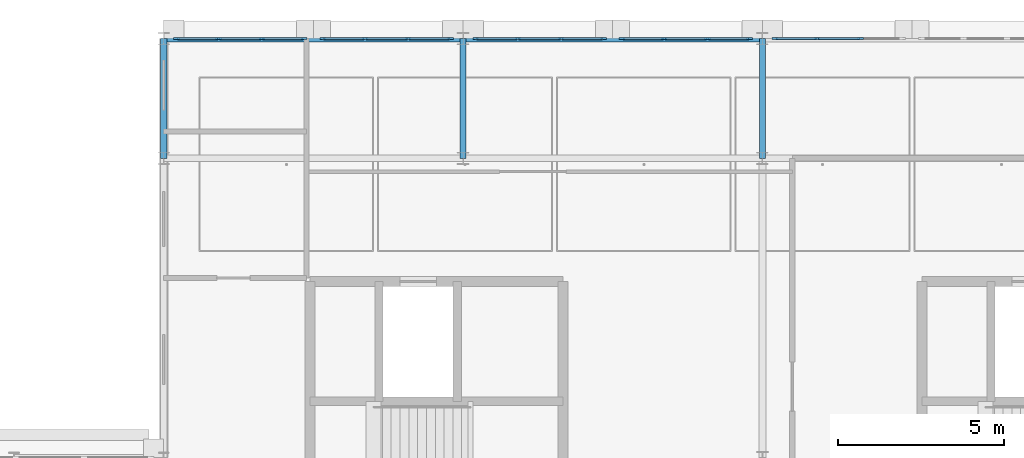
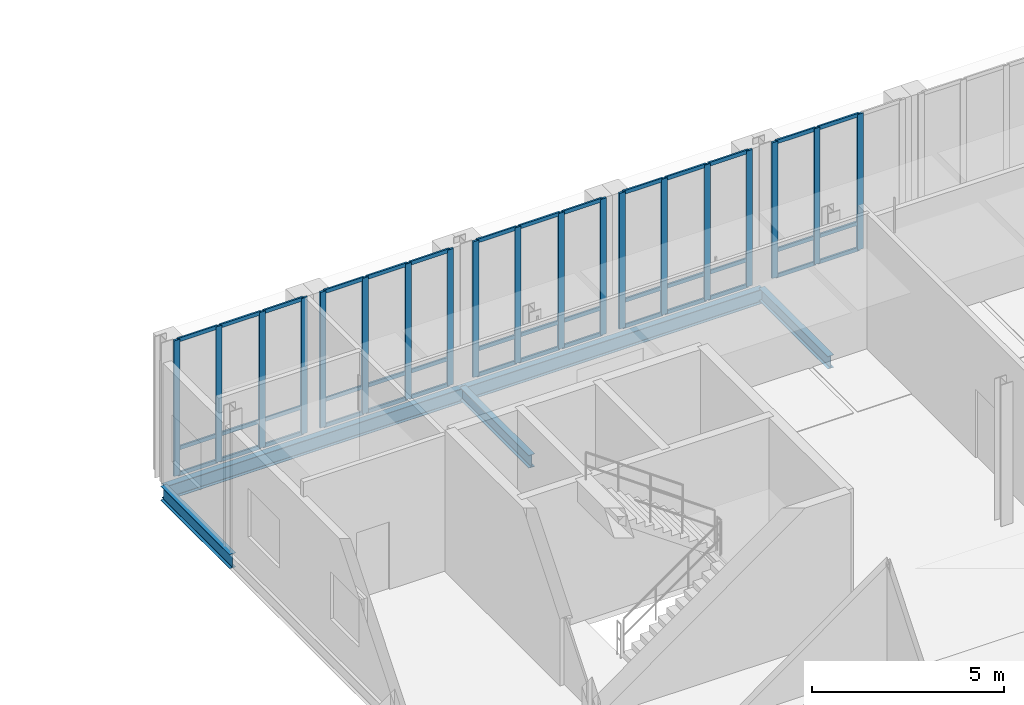
# One storey, part 59 of 140: 61 members, 5 beams, 5 elements without a shape of their own.
"""IFC4 building model written with IfcOpenShell, lengths in metres."""

from ifc_helpers import new_model, si_unit, direction, frame, origin, origin_2d, place, context, subcontext, project, spatial, rectangle, i_section, extrude, material, material_profile, profile_set, type_object, element, aggregate, save


model = new_model("IFC4")

# Units and contexts
model_context = context("Model", 3, precision=1e-05, world=origin(), true_north=direction((0.0, 1.0)))
body_context = subcontext(model_context, "Body", "Model", "MODEL_VIEW")
ifc_project = project(units=[si_unit("LENGTHUNIT", "METRE"), si_unit("AREAUNIT", "SQUARE_METRE"), si_unit("VOLUMEUNIT", "CUBIC_METRE"), si_unit("PLANEANGLEUNIT", "RADIAN"), si_unit("MASSUNIT", "GRAM", prefix="KILO"), si_unit("THERMODYNAMICTEMPERATUREUNIT", "KELVIN"), si_unit("POWERUNIT", "WATT")], contexts=[model_context])

# Site, building, storey
site_placement = place(None, origin())
site = spatial("IfcSite", under=ifc_project, at=site_placement, CompositionType="ELEMENT")
building_placement = place(site_placement, origin())
building = spatial("IfcBuilding", under=site, at=building_placement, Name="Tallowbark Science Centre", CompositionType="ELEMENT")
storey_placement = place(building_placement, frame((0.0, 0.0, 9.89990234375)))
storey = spatial("IfcBuildingStorey", under=building, at=storey_placement, Name="L02", CompositionType="ELEMENT", Elevation=9.89990234375)

# Beams
ifc_material_1 = material(Name="Structural Steel Grade 300PLUS (300 MPa)", Category="steel")
ifc_material_profile_1 = material_profile(ifc_material_1, i_section(OverallWidth=0.177734375, OverallDepth=0.406494140625, WebThickness=0.0078125, FlangeThickness=0.0126953125, FilletRadius=0.011474609375, at=origin_2d()), Name="410UB59.7")
ifc_profile_set_1 = profile_set([ifc_material_profile_1], Name="Structural Steel Grade 300PLUS (300 MPa)")
beam_type_1 = type_object("IfcBeamType", Name="BM-UB410", PredefinedType="BEAM", material=ifc_profile_set_1)
for number, where, z_axis, x_axis, name in (
    (1, (121.5, 108.0, -0.383056640625), (0.0, 1.0, 0.0), (-1.0, 0.0, 0.0), "Primary Girder GRDY-L02-1215-1080-1116"),
    (2, (130.5, 108.0, -0.383056640625), (0.0, 1.0, 0.0), (-1.0, 0.0, 0.0), "Primary Girder GRDY-L02-1305-1080-1116"),
):
    element("IfcBeam", number, at=place(storey_placement, frame(where, z_axis=z_axis, x_axis=x_axis)), inside=storey, type_object=beam_type_1, Name=name, PredefinedType="BEAM", context=body_context, shape_type="SweptSolid", body=[
        extrude(i_section(OverallWidth=0.177734375, OverallDepth=0.406494140625, WebThickness=0.0078125, FlangeThickness=0.0126953125, FilletRadius=0.011474609375, at=origin_2d()), origin(), (0.0, 0.0, 1.0), 3.60009765625),
    ])

# Curtain wall, members
ifc_material_2 = material(Name="Unitised Thermally Broken Aluminium and Low-E Double Glazing", Category="aluminium")
curtain_wall_type = type_object("IfcCurtainWallType", Name="CW-SYS-FACADE", PredefinedType="NOTDEFINED", material=ifc_material_2)
curtain_wall_1_placement = place(storey_placement, origin())
curtain_wall_1 = element("IfcCurtainWall", 3, at=curtain_wall_1_placement, inside=storey, type_object=curtain_wall_type, Name="Unitised Curtain Wall OBS-N-112A CW-L02-140", PredefinedType="NOTDEFINED")
ifc_material_3 = material(Name="Anodised Architectural Aluminium Alloy 6063-T6", Category="aluminium")
ifc_material_profile_2 = material_profile(ifc_material_3, rectangle(XDim=0.06494140625, YDim=0.179931640625, at=origin_2d()), Name="ALU65x180")
ifc_profile_set_2 = profile_set([ifc_material_profile_2], Name="Anodised Architectural Aluminium Alloy 6063-T6")
member_type_1 = type_object("IfcMemberType", Name="CWM-MUL-220", PredefinedType="MULLION", material=ifc_profile_set_2)
member_1_placement = place(storey_placement, frame((121.117431640625, 111.60009765625, 0.0), z_axis=(0.0, 0.0, 1.0), x_axis=(0.0, -1.0, 0.0)))
member_1 = element("IfcMember", 4, at=member_1_placement, type_object=member_type_1, Name="CW-01 mullion 1", PredefinedType="MULLION", context=body_context, shape_type="SweptSolid", body=[
    extrude(rectangle(XDim=0.06494140625, YDim=0.179931640625, at=origin_2d()), origin(), (0.0, 0.0, 1.0), 4.320068359375),
])
member_2_placement = place(storey_placement, frame((119.85009765625, 111.60009765625, 0.0), z_axis=(0.0, 0.0, 1.0), x_axis=(0.0, -1.0, 0.0)))
member_2 = element("IfcMember", 5, at=member_2_placement, type_object=member_type_1, Name="CW-01 mullion 2", PredefinedType="MULLION", context=body_context, shape_type="SweptSolid", body=[
    extrude(rectangle(XDim=0.06494140625, YDim=0.179931640625, at=origin_2d()), origin(), (0.0, 0.0, 1.0), 4.320068359375),
])
member_3_placement = place(storey_placement, frame((118.550048828125, 111.60009765625, 0.0), z_axis=(0.0, 0.0, 1.0), x_axis=(0.0, -1.0, 0.0)))
member_3 = element("IfcMember", 6, at=member_3_placement, type_object=member_type_1, Name="CW-01 mullion 3", PredefinedType="MULLION", context=body_context, shape_type="SweptSolid", body=[
    extrude(rectangle(XDim=0.06494140625, YDim=0.179931640625, at=origin_2d()), origin(), (0.0, 0.0, 1.0), 4.320068359375),
])
member_4_placement = place(storey_placement, frame((117.282470703125, 111.60009765625, 0.0), z_axis=(0.0, 0.0, 1.0), x_axis=(0.0, -1.0, 0.0)))
member_4 = element("IfcMember", 7, at=member_4_placement, type_object=member_type_1, Name="CW-01 mullion 4", PredefinedType="MULLION", context=body_context, shape_type="SweptSolid", body=[
    extrude(rectangle(XDim=0.06494140625, YDim=0.179931640625, at=origin_2d()), origin(), (0.0, 0.0, 1.0), 4.320068359375),
])

curtain_wall_2_placement = place(storey_placement, origin())
curtain_wall_2 = element("IfcCurtainWall", 8, at=curtain_wall_2_placement, inside=storey, type_object=curtain_wall_type, Name="Unitised Curtain Wall OBS-N-112B CW-L02-141", PredefinedType="NOTDEFINED")
member_5_placement = place(storey_placement, frame((116.717529296875, 111.60009765625, 0.0), z_axis=(0.0, 0.0, 1.0), x_axis=(0.0, -1.0, 0.0)))
member_5 = element("IfcMember", 9, at=member_5_placement, type_object=member_type_1, Name="CW-01 mullion 1", PredefinedType="MULLION", context=body_context, shape_type="SweptSolid", body=[
    extrude(rectangle(XDim=0.06494140625, YDim=0.179931640625, at=origin_2d()), origin(), (0.0, 0.0, 1.0), 4.320068359375),
])
member_6_placement = place(storey_placement, frame((115.449951171875, 111.60009765625, 0.0), z_axis=(0.0, 0.0, 1.0), x_axis=(0.0, -1.0, 0.0)))
member_6 = element("IfcMember", 10, at=member_6_placement, type_object=member_type_1, Name="CW-01 mullion 2", PredefinedType="MULLION", context=body_context, shape_type="SweptSolid", body=[
    extrude(rectangle(XDim=0.06494140625, YDim=0.179931640625, at=origin_2d()), origin(), (0.0, 0.0, 1.0), 4.320068359375),
])
member_7_placement = place(storey_placement, frame((114.14990234375, 111.60009765625, 0.0), z_axis=(0.0, 0.0, 1.0), x_axis=(0.0, -1.0, 0.0)))
member_7 = element("IfcMember", 11, at=member_7_placement, type_object=member_type_1, Name="CW-01 mullion 3", PredefinedType="MULLION", context=body_context, shape_type="SweptSolid", body=[
    extrude(rectangle(XDim=0.06494140625, YDim=0.179931640625, at=origin_2d()), origin(), (0.0, 0.0, 1.0), 4.320068359375),
])
member_8_placement = place(storey_placement, frame((112.882568359375, 111.60009765625, 0.0), z_axis=(0.0, 0.0, 1.0), x_axis=(0.0, -1.0, 0.0)))
member_8 = element("IfcMember", 12, at=member_8_placement, type_object=member_type_1, Name="CW-01 mullion 4", PredefinedType="MULLION", context=body_context, shape_type="SweptSolid", body=[
    extrude(rectangle(XDim=0.06494140625, YDim=0.179931640625, at=origin_2d()), origin(), (0.0, 0.0, 1.0), 4.320068359375),
])

curtain_wall_3_placement = place(storey_placement, origin())
curtain_wall_3 = element("IfcCurtainWall", 13, at=curtain_wall_3_placement, inside=storey, type_object=curtain_wall_type, Name="Unitised Curtain Wall OBS-N-121A CW-L02-144", PredefinedType="NOTDEFINED")
member_9_placement = place(storey_placement, frame((130.117431640625, 111.60009765625, 0.0), z_axis=(0.0, 0.0, 1.0), x_axis=(0.0, -1.0, 0.0)))
member_9 = element("IfcMember", 14, at=member_9_placement, type_object=member_type_1, Name="CW-01 mullion 1", PredefinedType="MULLION", context=body_context, shape_type="SweptSolid", body=[
    extrude(rectangle(XDim=0.06494140625, YDim=0.179931640625, at=origin_2d()), origin(), (0.0, 0.0, 1.0), 4.320068359375),
])
member_10_placement = place(storey_placement, frame((128.85009765625, 111.60009765625, 0.0), z_axis=(0.0, 0.0, 1.0), x_axis=(0.0, -1.0, 0.0)))
member_10 = element("IfcMember", 15, at=member_10_placement, type_object=member_type_1, Name="CW-01 mullion 2", PredefinedType="MULLION", context=body_context, shape_type="SweptSolid", body=[
    extrude(rectangle(XDim=0.06494140625, YDim=0.179931640625, at=origin_2d()), origin(), (0.0, 0.0, 1.0), 4.320068359375),
])
member_11_placement = place(storey_placement, frame((127.550048828125, 111.60009765625, 0.0), z_axis=(0.0, 0.0, 1.0), x_axis=(0.0, -1.0, 0.0)))
member_11 = element("IfcMember", 16, at=member_11_placement, type_object=member_type_1, Name="CW-01 mullion 3", PredefinedType="MULLION", context=body_context, shape_type="SweptSolid", body=[
    extrude(rectangle(XDim=0.06494140625, YDim=0.179931640625, at=origin_2d()), origin(), (0.0, 0.0, 1.0), 4.320068359375),
])
member_12_placement = place(storey_placement, frame((126.282470703125, 111.60009765625, 0.0), z_axis=(0.0, 0.0, 1.0), x_axis=(0.0, -1.0, 0.0)))
member_12 = element("IfcMember", 17, at=member_12_placement, type_object=member_type_1, Name="CW-01 mullion 4", PredefinedType="MULLION", context=body_context, shape_type="SweptSolid", body=[
    extrude(rectangle(XDim=0.06494140625, YDim=0.179931640625, at=origin_2d()), origin(), (0.0, 0.0, 1.0), 4.320068359375),
])

curtain_wall_4_placement = place(storey_placement, origin())
curtain_wall_4 = element("IfcCurtainWall", 18, at=curtain_wall_4_placement, inside=storey, type_object=curtain_wall_type, Name="Unitised Curtain Wall OBS-N-121B CW-L02-145", PredefinedType="NOTDEFINED")
member_13_placement = place(storey_placement, frame((125.717529296875, 111.60009765625, 0.0), z_axis=(0.0, 0.0, 1.0), x_axis=(0.0, -1.0, 0.0)))
member_13 = element("IfcMember", 19, at=member_13_placement, type_object=member_type_1, Name="CW-01 mullion 1", PredefinedType="MULLION", context=body_context, shape_type="SweptSolid", body=[
    extrude(rectangle(XDim=0.06494140625, YDim=0.179931640625, at=origin_2d()), origin(), (0.0, 0.0, 1.0), 4.320068359375),
])
member_14_placement = place(storey_placement, frame((124.449951171875, 111.60009765625, 0.0), z_axis=(0.0, 0.0, 1.0), x_axis=(0.0, -1.0, 0.0)))
member_14 = element("IfcMember", 20, at=member_14_placement, type_object=member_type_1, Name="CW-01 mullion 2", PredefinedType="MULLION", context=body_context, shape_type="SweptSolid", body=[
    extrude(rectangle(XDim=0.06494140625, YDim=0.179931640625, at=origin_2d()), origin(), (0.0, 0.0, 1.0), 4.320068359375),
])
member_15_placement = place(storey_placement, frame((123.14990234375, 111.60009765625, 0.0), z_axis=(0.0, 0.0, 1.0), x_axis=(0.0, -1.0, 0.0)))
member_15 = element("IfcMember", 21, at=member_15_placement, type_object=member_type_1, Name="CW-01 mullion 3", PredefinedType="MULLION", context=body_context, shape_type="SweptSolid", body=[
    extrude(rectangle(XDim=0.06494140625, YDim=0.179931640625, at=origin_2d()), origin(), (0.0, 0.0, 1.0), 4.320068359375),
])
member_16_placement = place(storey_placement, frame((121.882568359375, 111.60009765625, 0.0), z_axis=(0.0, 0.0, 1.0), x_axis=(0.0, -1.0, 0.0)))
member_16 = element("IfcMember", 22, at=member_16_placement, type_object=member_type_1, Name="CW-01 mullion 4", PredefinedType="MULLION", context=body_context, shape_type="SweptSolid", body=[
    extrude(rectangle(XDim=0.06494140625, YDim=0.179931640625, at=origin_2d()), origin(), (0.0, 0.0, 1.0), 4.320068359375),
])

curtain_wall_5_placement = place(storey_placement, origin())
curtain_wall_5 = element("IfcCurtainWall", 23, at=curtain_wall_5_placement, inside=storey, type_object=curtain_wall_type, Name="Unitised Curtain Wall OBS-N-130B CW-L02-149", PredefinedType="NOTDEFINED")
member_17_placement = place(storey_placement, frame((133.449951171875, 111.60009765625, 0.0), z_axis=(0.0, 0.0, 1.0), x_axis=(0.0, -1.0, 0.0)))
member_17 = element("IfcMember", 24, at=member_17_placement, type_object=member_type_1, Name="CW-01 mullion 2", PredefinedType="MULLION", context=body_context, shape_type="SweptSolid", body=[
    extrude(rectangle(XDim=0.06494140625, YDim=0.179931640625, at=origin_2d()), origin(), (0.0, 0.0, 1.0), 4.320068359375),
])
member_18_placement = place(storey_placement, frame((132.14990234375, 111.60009765625, 0.0), z_axis=(0.0, 0.0, 1.0), x_axis=(0.0, -1.0, 0.0)))
member_18 = element("IfcMember", 25, at=member_18_placement, type_object=member_type_1, Name="CW-01 mullion 3", PredefinedType="MULLION", context=body_context, shape_type="SweptSolid", body=[
    extrude(rectangle(XDim=0.06494140625, YDim=0.179931640625, at=origin_2d()), origin(), (0.0, 0.0, 1.0), 4.320068359375),
])
member_19_placement = place(storey_placement, frame((130.882568359375, 111.60009765625, 0.0), z_axis=(0.0, 0.0, 1.0), x_axis=(0.0, -1.0, 0.0)))
member_19 = element("IfcMember", 26, at=member_19_placement, type_object=member_type_1, Name="CW-01 mullion 4", PredefinedType="MULLION", context=body_context, shape_type="SweptSolid", body=[
    extrude(rectangle(XDim=0.06494140625, YDim=0.179931640625, at=origin_2d()), origin(), (0.0, 0.0, 1.0), 4.320068359375),
])

# Member
ifc_material_profile_3 = material_profile(ifc_material_3, rectangle(XDim=0.054931640625, YDim=0.1201171875, at=origin_2d()), Name="ALU55x120")
ifc_profile_set_3 = profile_set([ifc_material_profile_3], Name="Anodised Architectural Aluminium Alloy 6063-T6")
member_type_2 = type_object("IfcMemberType", Name="CWM-TRN-150", PredefinedType="USERDEFINED", material=ifc_profile_set_3)
member_20_placement = place(storey_placement, frame((121.0849609375, 111.60009765625, 0.027587890625), z_axis=(-1.0, 0.0, 0.0), x_axis=(0.0, -1.0, 0.0)))
member_20 = element("IfcMember", 27, at=member_20_placement, type_object=member_type_2, Name="CW-01 transom 1.1", ObjectType="TRANSOM", PredefinedType="USERDEFINED", context=body_context, shape_type="SweptSolid", body=[
    extrude(rectangle(XDim=0.054931640625, YDim=0.1201171875, at=origin_2d()), origin(), (0.0, 0.0, 1.0), 1.202392578125),
])

member_21_placement = place(storey_placement, frame((121.0849609375, 111.60009765625, 0.85009765625), z_axis=(-1.0, 0.0, 0.0), x_axis=(0.0, -1.0, 0.0)))
member_21 = element("IfcMember", 28, at=member_21_placement, type_object=member_type_2, Name="CW-01 transom 1.2", ObjectType="TRANSOM", PredefinedType="USERDEFINED", context=body_context, shape_type="SweptSolid", body=[
    extrude(rectangle(XDim=0.054931640625, YDim=0.1201171875, at=origin_2d()), origin(), (0.0, 0.0, 1.0), 1.202392578125),
])

member_22_placement = place(storey_placement, frame((121.0849609375, 111.60009765625, 4.29248046875), z_axis=(-1.0, 0.0, 0.0), x_axis=(0.0, -1.0, 0.0)))
member_22 = element("IfcMember", 29, at=member_22_placement, type_object=member_type_2, Name="CW-01 transom 1.3", ObjectType="TRANSOM", PredefinedType="USERDEFINED", context=body_context, shape_type="SweptSolid", body=[
    extrude(rectangle(XDim=0.054931640625, YDim=0.1201171875, at=origin_2d()), origin(), (0.0, 0.0, 1.0), 1.202392578125),
])

member_23_placement = place(storey_placement, frame((119.8173828125, 111.60009765625, 0.027587890625), z_axis=(-1.0, 0.0, 0.0), x_axis=(0.0, -1.0, 0.0)))
member_23 = element("IfcMember", 30, at=member_23_placement, type_object=member_type_2, Name="CW-01 transom 2.1", ObjectType="TRANSOM", PredefinedType="USERDEFINED", context=body_context, shape_type="SweptSolid", body=[
    extrude(rectangle(XDim=0.054931640625, YDim=0.1201171875, at=origin_2d()), origin(), (0.0, 0.0, 1.0), 1.23486328125),
])

member_24_placement = place(storey_placement, frame((119.8173828125, 111.60009765625, 0.85009765625), z_axis=(-1.0, 0.0, 0.0), x_axis=(0.0, -1.0, 0.0)))
member_24 = element("IfcMember", 31, at=member_24_placement, type_object=member_type_2, Name="CW-01 transom 2.2", ObjectType="TRANSOM", PredefinedType="USERDEFINED", context=body_context, shape_type="SweptSolid", body=[
    extrude(rectangle(XDim=0.054931640625, YDim=0.1201171875, at=origin_2d()), origin(), (0.0, 0.0, 1.0), 1.23486328125),
])

member_25_placement = place(storey_placement, frame((119.8173828125, 111.60009765625, 4.29248046875), z_axis=(-1.0, 0.0, 0.0), x_axis=(0.0, -1.0, 0.0)))
member_25 = element("IfcMember", 32, at=member_25_placement, type_object=member_type_2, Name="CW-01 transom 2.3", ObjectType="TRANSOM", PredefinedType="USERDEFINED", context=body_context, shape_type="SweptSolid", body=[
    extrude(rectangle(XDim=0.054931640625, YDim=0.1201171875, at=origin_2d()), origin(), (0.0, 0.0, 1.0), 1.23486328125),
])

member_26_placement = place(storey_placement, frame((118.517578125, 111.60009765625, 0.027587890625), z_axis=(-1.0, 0.0, 0.0), x_axis=(0.0, -1.0, 0.0)))
member_26 = element("IfcMember", 33, at=member_26_placement, type_object=member_type_2, Name="CW-01 transom 3.1", ObjectType="TRANSOM", PredefinedType="USERDEFINED", context=body_context, shape_type="SweptSolid", body=[
    extrude(rectangle(XDim=0.054931640625, YDim=0.1201171875, at=origin_2d()), origin(), (0.0, 0.0, 1.0), 1.20263671875),
])

member_27_placement = place(storey_placement, frame((118.517578125, 111.60009765625, 0.85009765625), z_axis=(-1.0, 0.0, 0.0), x_axis=(0.0, -1.0, 0.0)))
member_27 = element("IfcMember", 34, at=member_27_placement, type_object=member_type_2, Name="CW-01 transom 3.2", ObjectType="TRANSOM", PredefinedType="USERDEFINED", context=body_context, shape_type="SweptSolid", body=[
    extrude(rectangle(XDim=0.054931640625, YDim=0.1201171875, at=origin_2d()), origin(), (0.0, 0.0, 1.0), 1.20263671875),
])

member_28_placement = place(storey_placement, frame((118.517578125, 111.60009765625, 4.29248046875), z_axis=(-1.0, 0.0, 0.0), x_axis=(0.0, -1.0, 0.0)))
member_28 = element("IfcMember", 35, at=member_28_placement, type_object=member_type_2, Name="CW-01 transom 3.3", ObjectType="TRANSOM", PredefinedType="USERDEFINED", context=body_context, shape_type="SweptSolid", body=[
    extrude(rectangle(XDim=0.054931640625, YDim=0.1201171875, at=origin_2d()), origin(), (0.0, 0.0, 1.0), 1.20263671875),
])

aggregate(curtain_wall_1, [member_1, member_2, member_3, member_4, member_20, member_21, member_22, member_23, member_24, member_25, member_26, member_27, member_28])

member_29_placement = place(storey_placement, frame((116.68505859375, 111.60009765625, 0.027587890625), z_axis=(-1.0, 0.0, 0.0), x_axis=(0.0, -1.0, 0.0)))
member_29 = element("IfcMember", 36, at=member_29_placement, type_object=member_type_2, Name="CW-01 transom 1.1", ObjectType="TRANSOM", PredefinedType="USERDEFINED", context=body_context, shape_type="SweptSolid", body=[
    extrude(rectangle(XDim=0.054931640625, YDim=0.1201171875, at=origin_2d()), origin(), (0.0, 0.0, 1.0), 1.20263671875),
])

member_30_placement = place(storey_placement, frame((116.68505859375, 111.60009765625, 0.85009765625), z_axis=(-1.0, 0.0, 0.0), x_axis=(0.0, -1.0, 0.0)))
member_30 = element("IfcMember", 37, at=member_30_placement, type_object=member_type_2, Name="CW-01 transom 1.2", ObjectType="TRANSOM", PredefinedType="USERDEFINED", context=body_context, shape_type="SweptSolid", body=[
    extrude(rectangle(XDim=0.054931640625, YDim=0.1201171875, at=origin_2d()), origin(), (0.0, 0.0, 1.0), 1.20263671875),
])

member_31_placement = place(storey_placement, frame((116.68505859375, 111.60009765625, 4.29248046875), z_axis=(-1.0, 0.0, 0.0), x_axis=(0.0, -1.0, 0.0)))
member_31 = element("IfcMember", 38, at=member_31_placement, type_object=member_type_2, Name="CW-01 transom 1.3", ObjectType="TRANSOM", PredefinedType="USERDEFINED", context=body_context, shape_type="SweptSolid", body=[
    extrude(rectangle(XDim=0.054931640625, YDim=0.1201171875, at=origin_2d()), origin(), (0.0, 0.0, 1.0), 1.20263671875),
])

member_32_placement = place(storey_placement, frame((115.41748046875, 111.60009765625, 0.027587890625), z_axis=(-1.0, 0.0, 0.0), x_axis=(0.0, -1.0, 0.0)))
member_32 = element("IfcMember", 39, at=member_32_placement, type_object=member_type_2, Name="CW-01 transom 2.1", ObjectType="TRANSOM", PredefinedType="USERDEFINED", context=body_context, shape_type="SweptSolid", body=[
    extrude(rectangle(XDim=0.054931640625, YDim=0.1201171875, at=origin_2d()), origin(), (0.0, 0.0, 1.0), 1.23486328125),
])

member_33_placement = place(storey_placement, frame((115.41748046875, 111.60009765625, 0.85009765625), z_axis=(-1.0, 0.0, 0.0), x_axis=(0.0, -1.0, 0.0)))
member_33 = element("IfcMember", 40, at=member_33_placement, type_object=member_type_2, Name="CW-01 transom 2.2", ObjectType="TRANSOM", PredefinedType="USERDEFINED", context=body_context, shape_type="SweptSolid", body=[
    extrude(rectangle(XDim=0.054931640625, YDim=0.1201171875, at=origin_2d()), origin(), (0.0, 0.0, 1.0), 1.23486328125),
])

member_34_placement = place(storey_placement, frame((115.41748046875, 111.60009765625, 4.29248046875), z_axis=(-1.0, 0.0, 0.0), x_axis=(0.0, -1.0, 0.0)))
member_34 = element("IfcMember", 41, at=member_34_placement, type_object=member_type_2, Name="CW-01 transom 2.3", ObjectType="TRANSOM", PredefinedType="USERDEFINED", context=body_context, shape_type="SweptSolid", body=[
    extrude(rectangle(XDim=0.054931640625, YDim=0.1201171875, at=origin_2d()), origin(), (0.0, 0.0, 1.0), 1.23486328125),
])

member_35_placement = place(storey_placement, frame((114.117431640625, 111.60009765625, 0.027587890625), z_axis=(-1.0, 0.0, 0.0), x_axis=(0.0, -1.0, 0.0)))
member_35 = element("IfcMember", 42, at=member_35_placement, type_object=member_type_2, Name="CW-01 transom 3.1", ObjectType="TRANSOM", PredefinedType="USERDEFINED", context=body_context, shape_type="SweptSolid", body=[
    extrude(rectangle(XDim=0.054931640625, YDim=0.1201171875, at=origin_2d()), origin(), (0.0, 0.0, 1.0), 1.202392578125),
])

member_36_placement = place(storey_placement, frame((114.117431640625, 111.60009765625, 0.85009765625), z_axis=(-1.0, 0.0, 0.0), x_axis=(0.0, -1.0, 0.0)))
member_36 = element("IfcMember", 43, at=member_36_placement, type_object=member_type_2, Name="CW-01 transom 3.2", ObjectType="TRANSOM", PredefinedType="USERDEFINED", context=body_context, shape_type="SweptSolid", body=[
    extrude(rectangle(XDim=0.054931640625, YDim=0.1201171875, at=origin_2d()), origin(), (0.0, 0.0, 1.0), 1.202392578125),
])

member_37_placement = place(storey_placement, frame((114.117431640625, 111.60009765625, 4.29248046875), z_axis=(-1.0, 0.0, 0.0), x_axis=(0.0, -1.0, 0.0)))
member_37 = element("IfcMember", 44, at=member_37_placement, type_object=member_type_2, Name="CW-01 transom 3.3", ObjectType="TRANSOM", PredefinedType="USERDEFINED", context=body_context, shape_type="SweptSolid", body=[
    extrude(rectangle(XDim=0.054931640625, YDim=0.1201171875, at=origin_2d()), origin(), (0.0, 0.0, 1.0), 1.202392578125),
])

aggregate(curtain_wall_2, [member_5, member_6, member_7, member_8, member_29, member_30, member_31, member_32, member_33, member_34, member_35, member_36, member_37])

member_38_placement = place(storey_placement, frame((130.0849609375, 111.60009765625, 0.027587890625), z_axis=(-1.0, 0.0, 0.0), x_axis=(0.0, -1.0, 0.0)))
member_38 = element("IfcMember", 45, at=member_38_placement, type_object=member_type_2, Name="CW-01 transom 1.1", ObjectType="TRANSOM", PredefinedType="USERDEFINED", context=body_context, shape_type="SweptSolid", body=[
    extrude(rectangle(XDim=0.054931640625, YDim=0.1201171875, at=origin_2d()), origin(), (0.0, 0.0, 1.0), 1.202392578125),
])

member_39_placement = place(storey_placement, frame((130.0849609375, 111.60009765625, 0.85009765625), z_axis=(-1.0, 0.0, 0.0), x_axis=(0.0, -1.0, 0.0)))
member_39 = element("IfcMember", 46, at=member_39_placement, type_object=member_type_2, Name="CW-01 transom 1.2", ObjectType="TRANSOM", PredefinedType="USERDEFINED", context=body_context, shape_type="SweptSolid", body=[
    extrude(rectangle(XDim=0.054931640625, YDim=0.1201171875, at=origin_2d()), origin(), (0.0, 0.0, 1.0), 1.202392578125),
])

member_40_placement = place(storey_placement, frame((130.0849609375, 111.60009765625, 4.29248046875), z_axis=(-1.0, 0.0, 0.0), x_axis=(0.0, -1.0, 0.0)))
member_40 = element("IfcMember", 47, at=member_40_placement, type_object=member_type_2, Name="CW-01 transom 1.3", ObjectType="TRANSOM", PredefinedType="USERDEFINED", context=body_context, shape_type="SweptSolid", body=[
    extrude(rectangle(XDim=0.054931640625, YDim=0.1201171875, at=origin_2d()), origin(), (0.0, 0.0, 1.0), 1.202392578125),
])

member_41_placement = place(storey_placement, frame((128.8173828125, 111.60009765625, 0.027587890625), z_axis=(-1.0, 0.0, 0.0), x_axis=(0.0, -1.0, 0.0)))
member_41 = element("IfcMember", 48, at=member_41_placement, type_object=member_type_2, Name="CW-01 transom 2.1", ObjectType="TRANSOM", PredefinedType="USERDEFINED", context=body_context, shape_type="SweptSolid", body=[
    extrude(rectangle(XDim=0.054931640625, YDim=0.1201171875, at=origin_2d()), origin(), (0.0, 0.0, 1.0), 1.23486328125),
])

member_42_placement = place(storey_placement, frame((128.8173828125, 111.60009765625, 0.85009765625), z_axis=(-1.0, 0.0, 0.0), x_axis=(0.0, -1.0, 0.0)))
member_42 = element("IfcMember", 49, at=member_42_placement, type_object=member_type_2, Name="CW-01 transom 2.2", ObjectType="TRANSOM", PredefinedType="USERDEFINED", context=body_context, shape_type="SweptSolid", body=[
    extrude(rectangle(XDim=0.054931640625, YDim=0.1201171875, at=origin_2d()), origin(), (0.0, 0.0, 1.0), 1.23486328125),
])

member_43_placement = place(storey_placement, frame((128.8173828125, 111.60009765625, 4.29248046875), z_axis=(-1.0, 0.0, 0.0), x_axis=(0.0, -1.0, 0.0)))
member_43 = element("IfcMember", 50, at=member_43_placement, type_object=member_type_2, Name="CW-01 transom 2.3", ObjectType="TRANSOM", PredefinedType="USERDEFINED", context=body_context, shape_type="SweptSolid", body=[
    extrude(rectangle(XDim=0.054931640625, YDim=0.1201171875, at=origin_2d()), origin(), (0.0, 0.0, 1.0), 1.23486328125),
])

member_44_placement = place(storey_placement, frame((127.517578125, 111.60009765625, 0.027587890625), z_axis=(-1.0, 0.0, 0.0), x_axis=(0.0, -1.0, 0.0)))
member_44 = element("IfcMember", 51, at=member_44_placement, type_object=member_type_2, Name="CW-01 transom 3.1", ObjectType="TRANSOM", PredefinedType="USERDEFINED", context=body_context, shape_type="SweptSolid", body=[
    extrude(rectangle(XDim=0.054931640625, YDim=0.1201171875, at=origin_2d()), origin(), (0.0, 0.0, 1.0), 1.20263671875),
])

member_45_placement = place(storey_placement, frame((127.517578125, 111.60009765625, 0.85009765625), z_axis=(-1.0, 0.0, 0.0), x_axis=(0.0, -1.0, 0.0)))
member_45 = element("IfcMember", 52, at=member_45_placement, type_object=member_type_2, Name="CW-01 transom 3.2", ObjectType="TRANSOM", PredefinedType="USERDEFINED", context=body_context, shape_type="SweptSolid", body=[
    extrude(rectangle(XDim=0.054931640625, YDim=0.1201171875, at=origin_2d()), origin(), (0.0, 0.0, 1.0), 1.20263671875),
])

member_46_placement = place(storey_placement, frame((127.517578125, 111.60009765625, 4.29248046875), z_axis=(-1.0, 0.0, 0.0), x_axis=(0.0, -1.0, 0.0)))
member_46 = element("IfcMember", 53, at=member_46_placement, type_object=member_type_2, Name="CW-01 transom 3.3", ObjectType="TRANSOM", PredefinedType="USERDEFINED", context=body_context, shape_type="SweptSolid", body=[
    extrude(rectangle(XDim=0.054931640625, YDim=0.1201171875, at=origin_2d()), origin(), (0.0, 0.0, 1.0), 1.20263671875),
])

aggregate(curtain_wall_3, [member_9, member_10, member_11, member_12, member_38, member_39, member_40, member_41, member_42, member_43, member_44, member_45, member_46])

member_47_placement = place(storey_placement, frame((125.68505859375, 111.60009765625, 0.027587890625), z_axis=(-1.0, 0.0, 0.0), x_axis=(0.0, -1.0, 0.0)))
member_47 = element("IfcMember", 54, at=member_47_placement, type_object=member_type_2, Name="CW-01 transom 1.1", ObjectType="TRANSOM", PredefinedType="USERDEFINED", context=body_context, shape_type="SweptSolid", body=[
    extrude(rectangle(XDim=0.054931640625, YDim=0.1201171875, at=origin_2d()), origin(), (0.0, 0.0, 1.0), 1.20263671875),
])

member_48_placement = place(storey_placement, frame((125.68505859375, 111.60009765625, 0.85009765625), z_axis=(-1.0, 0.0, 0.0), x_axis=(0.0, -1.0, 0.0)))
member_48 = element("IfcMember", 55, at=member_48_placement, type_object=member_type_2, Name="CW-01 transom 1.2", ObjectType="TRANSOM", PredefinedType="USERDEFINED", context=body_context, shape_type="SweptSolid", body=[
    extrude(rectangle(XDim=0.054931640625, YDim=0.1201171875, at=origin_2d()), origin(), (0.0, 0.0, 1.0), 1.20263671875),
])

member_49_placement = place(storey_placement, frame((125.68505859375, 111.60009765625, 4.29248046875), z_axis=(-1.0, 0.0, 0.0), x_axis=(0.0, -1.0, 0.0)))
member_49 = element("IfcMember", 56, at=member_49_placement, type_object=member_type_2, Name="CW-01 transom 1.3", ObjectType="TRANSOM", PredefinedType="USERDEFINED", context=body_context, shape_type="SweptSolid", body=[
    extrude(rectangle(XDim=0.054931640625, YDim=0.1201171875, at=origin_2d()), origin(), (0.0, 0.0, 1.0), 1.20263671875),
])

member_50_placement = place(storey_placement, frame((124.41748046875, 111.60009765625, 0.027587890625), z_axis=(-1.0, 0.0, 0.0), x_axis=(0.0, -1.0, 0.0)))
member_50 = element("IfcMember", 57, at=member_50_placement, type_object=member_type_2, Name="CW-01 transom 2.1", ObjectType="TRANSOM", PredefinedType="USERDEFINED", context=body_context, shape_type="SweptSolid", body=[
    extrude(rectangle(XDim=0.054931640625, YDim=0.1201171875, at=origin_2d()), origin(), (0.0, 0.0, 1.0), 1.23486328125),
])

member_51_placement = place(storey_placement, frame((124.41748046875, 111.60009765625, 0.85009765625), z_axis=(-1.0, 0.0, 0.0), x_axis=(0.0, -1.0, 0.0)))
member_51 = element("IfcMember", 58, at=member_51_placement, type_object=member_type_2, Name="CW-01 transom 2.2", ObjectType="TRANSOM", PredefinedType="USERDEFINED", context=body_context, shape_type="SweptSolid", body=[
    extrude(rectangle(XDim=0.054931640625, YDim=0.1201171875, at=origin_2d()), origin(), (0.0, 0.0, 1.0), 1.23486328125),
])

member_52_placement = place(storey_placement, frame((124.41748046875, 111.60009765625, 4.29248046875), z_axis=(-1.0, 0.0, 0.0), x_axis=(0.0, -1.0, 0.0)))
member_52 = element("IfcMember", 59, at=member_52_placement, type_object=member_type_2, Name="CW-01 transom 2.3", ObjectType="TRANSOM", PredefinedType="USERDEFINED", context=body_context, shape_type="SweptSolid", body=[
    extrude(rectangle(XDim=0.054931640625, YDim=0.1201171875, at=origin_2d()), origin(), (0.0, 0.0, 1.0), 1.23486328125),
])

member_53_placement = place(storey_placement, frame((123.117431640625, 111.60009765625, 0.027587890625), z_axis=(-1.0, 0.0, 0.0), x_axis=(0.0, -1.0, 0.0)))
member_53 = element("IfcMember", 60, at=member_53_placement, type_object=member_type_2, Name="CW-01 transom 3.1", ObjectType="TRANSOM", PredefinedType="USERDEFINED", context=body_context, shape_type="SweptSolid", body=[
    extrude(rectangle(XDim=0.054931640625, YDim=0.1201171875, at=origin_2d()), origin(), (0.0, 0.0, 1.0), 1.202392578125),
])

member_54_placement = place(storey_placement, frame((123.117431640625, 111.60009765625, 0.85009765625), z_axis=(-1.0, 0.0, 0.0), x_axis=(0.0, -1.0, 0.0)))
member_54 = element("IfcMember", 61, at=member_54_placement, type_object=member_type_2, Name="CW-01 transom 3.2", ObjectType="TRANSOM", PredefinedType="USERDEFINED", context=body_context, shape_type="SweptSolid", body=[
    extrude(rectangle(XDim=0.054931640625, YDim=0.1201171875, at=origin_2d()), origin(), (0.0, 0.0, 1.0), 1.202392578125),
])

member_55_placement = place(storey_placement, frame((123.117431640625, 111.60009765625, 4.29248046875), z_axis=(-1.0, 0.0, 0.0), x_axis=(0.0, -1.0, 0.0)))
member_55 = element("IfcMember", 62, at=member_55_placement, type_object=member_type_2, Name="CW-01 transom 3.3", ObjectType="TRANSOM", PredefinedType="USERDEFINED", context=body_context, shape_type="SweptSolid", body=[
    extrude(rectangle(XDim=0.054931640625, YDim=0.1201171875, at=origin_2d()), origin(), (0.0, 0.0, 1.0), 1.202392578125),
])

aggregate(curtain_wall_4, [member_13, member_14, member_15, member_16, member_47, member_48, member_49, member_50, member_51, member_52, member_53, member_54, member_55])

member_56_placement = place(storey_placement, frame((133.41748046875, 111.60009765625, 0.027587890625), z_axis=(-1.0, 0.0, 0.0), x_axis=(0.0, -1.0, 0.0)))
member_56 = element("IfcMember", 63, at=member_56_placement, type_object=member_type_2, Name="CW-01 transom 2.1", ObjectType="TRANSOM", PredefinedType="USERDEFINED", context=body_context, shape_type="SweptSolid", body=[
    extrude(rectangle(XDim=0.054931640625, YDim=0.1201171875, at=origin_2d()), origin(), (0.0, 0.0, 1.0), 1.23486328125),
])

member_57_placement = place(storey_placement, frame((133.41748046875, 111.60009765625, 0.85009765625), z_axis=(-1.0, 0.0, 0.0), x_axis=(0.0, -1.0, 0.0)))
member_57 = element("IfcMember", 64, at=member_57_placement, type_object=member_type_2, Name="CW-01 transom 2.2", ObjectType="TRANSOM", PredefinedType="USERDEFINED", context=body_context, shape_type="SweptSolid", body=[
    extrude(rectangle(XDim=0.054931640625, YDim=0.1201171875, at=origin_2d()), origin(), (0.0, 0.0, 1.0), 1.23486328125),
])

member_58_placement = place(storey_placement, frame((133.41748046875, 111.60009765625, 4.29248046875), z_axis=(-1.0, 0.0, 0.0), x_axis=(0.0, -1.0, 0.0)))
member_58 = element("IfcMember", 65, at=member_58_placement, type_object=member_type_2, Name="CW-01 transom 2.3", ObjectType="TRANSOM", PredefinedType="USERDEFINED", context=body_context, shape_type="SweptSolid", body=[
    extrude(rectangle(XDim=0.054931640625, YDim=0.1201171875, at=origin_2d()), origin(), (0.0, 0.0, 1.0), 1.23486328125),
])

member_59_placement = place(storey_placement, frame((132.117431640625, 111.60009765625, 0.027587890625), z_axis=(-1.0, 0.0, 0.0), x_axis=(0.0, -1.0, 0.0)))
member_59 = element("IfcMember", 66, at=member_59_placement, type_object=member_type_2, Name="CW-01 transom 3.1", ObjectType="TRANSOM", PredefinedType="USERDEFINED", context=body_context, shape_type="SweptSolid", body=[
    extrude(rectangle(XDim=0.054931640625, YDim=0.1201171875, at=origin_2d()), origin(), (0.0, 0.0, 1.0), 1.202392578125),
])

member_60_placement = place(storey_placement, frame((132.117431640625, 111.60009765625, 0.85009765625), z_axis=(-1.0, 0.0, 0.0), x_axis=(0.0, -1.0, 0.0)))
member_60 = element("IfcMember", 67, at=member_60_placement, type_object=member_type_2, Name="CW-01 transom 3.2", ObjectType="TRANSOM", PredefinedType="USERDEFINED", context=body_context, shape_type="SweptSolid", body=[
    extrude(rectangle(XDim=0.054931640625, YDim=0.1201171875, at=origin_2d()), origin(), (0.0, 0.0, 1.0), 1.202392578125),
])

member_61_placement = place(storey_placement, frame((132.117431640625, 111.60009765625, 4.29248046875), z_axis=(-1.0, 0.0, 0.0), x_axis=(0.0, -1.0, 0.0)))
member_61 = element("IfcMember", 68, at=member_61_placement, type_object=member_type_2, Name="CW-01 transom 3.3", ObjectType="TRANSOM", PredefinedType="USERDEFINED", context=body_context, shape_type="SweptSolid", body=[
    extrude(rectangle(XDim=0.054931640625, YDim=0.1201171875, at=origin_2d()), origin(), (0.0, 0.0, 1.0), 1.202392578125),
])

aggregate(curtain_wall_5, [member_17, member_18, member_19, member_56, member_57, member_58, member_59, member_60, member_61])

# Beams
ifc_material_profile_4 = material_profile(ifc_material_1, i_section(OverallWidth=0.18994140625, OverallDepth=0.453857421875, WebThickness=0.008544921875, FlangeThickness=0.0126953125, FilletRadius=0.011474609375, at=origin_2d()), Name="460UB67.1")
ifc_profile_set_4 = profile_set([ifc_material_profile_4], Name="Structural Steel Grade 300PLUS (300 MPa)")
beam_type_2 = type_object("IfcBeamType", Name="SPN-UB460", PredefinedType="SPANDREL", material=ifc_profile_set_4)
for number, where, z_axis, x_axis, name in (
    (69, (112.5, 111.60009765625, -0.40673828125), (1.0, 0.0, 0.0), (0.0, 1.0, 0.0), "Primary Girder GRDX-L02-1125-1215-1116"),
    (70, (121.5, 111.60009765625, -0.40673828125), (1.0, 0.0, 0.0), (0.0, 1.0, 0.0), "Primary Girder GRDX-L02-1215-1305-1116"),
):
    element("IfcBeam", number, at=place(storey_placement, frame(where, z_axis=z_axis, x_axis=x_axis)), inside=storey, type_object=beam_type_2, Name=name, PredefinedType="SPANDREL", context=body_context, shape_type="SweptSolid", body=[
        extrude(i_section(OverallWidth=0.18994140625, OverallDepth=0.453857421875, WebThickness=0.008544921875, FlangeThickness=0.0126953125, FilletRadius=0.011474609375, at=origin_2d()), origin(), (0.0, 0.0, 1.0), 9.0),
    ])
beam_placement = place(storey_placement, frame((112.5, 108.0, -0.40673828125), z_axis=(0.0, 1.0, 0.0), x_axis=(-1.0, 0.0, 0.0)))
element("IfcBeam", 71, at=beam_placement, inside=storey, type_object=beam_type_2, Name="Primary Girder GRDY-L02-1125-1080-1116", PredefinedType="SPANDREL", context=body_context, shape_type="SweptSolid", body=[
    extrude(i_section(OverallWidth=0.18994140625, OverallDepth=0.453857421875, WebThickness=0.008544921875, FlangeThickness=0.0126953125, FilletRadius=0.011474609375, at=origin_2d()), origin(), (0.0, 0.0, 1.0), 3.60009765625),
])

save(model, "model.ifc")
